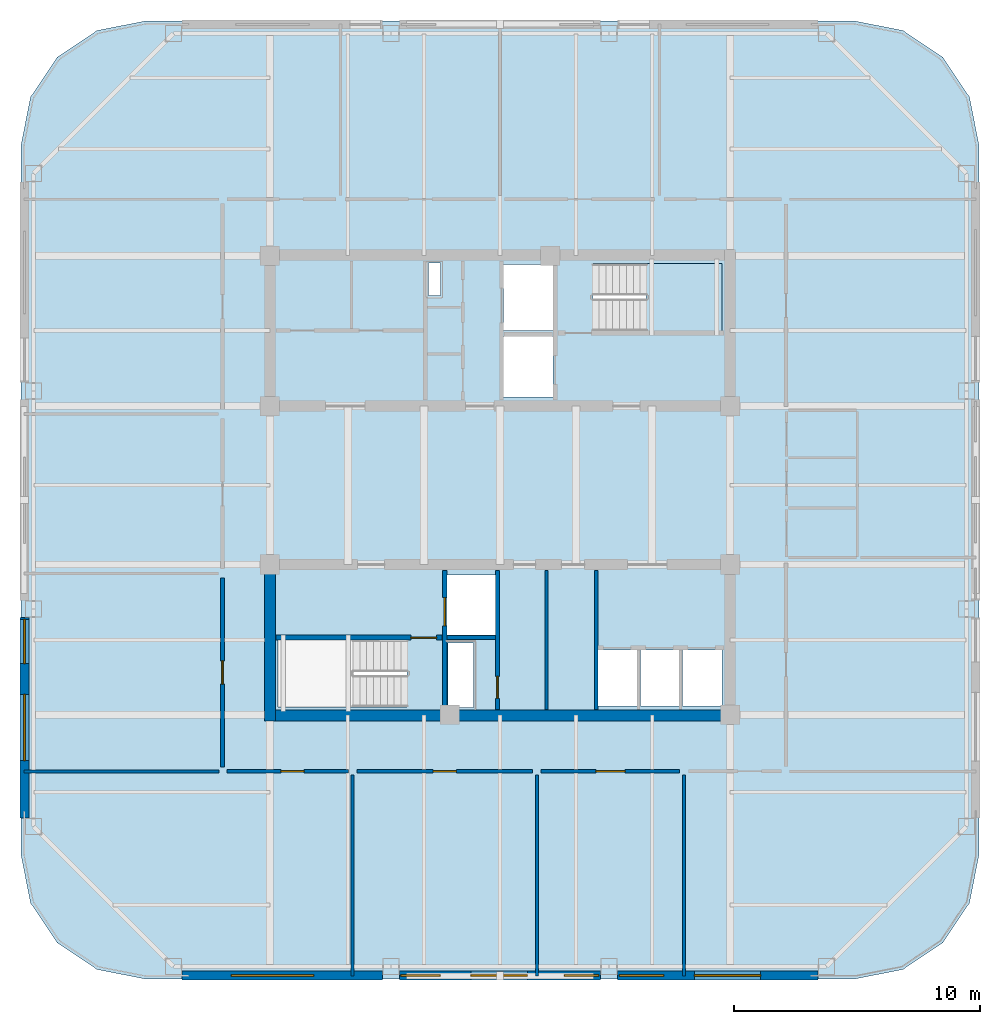
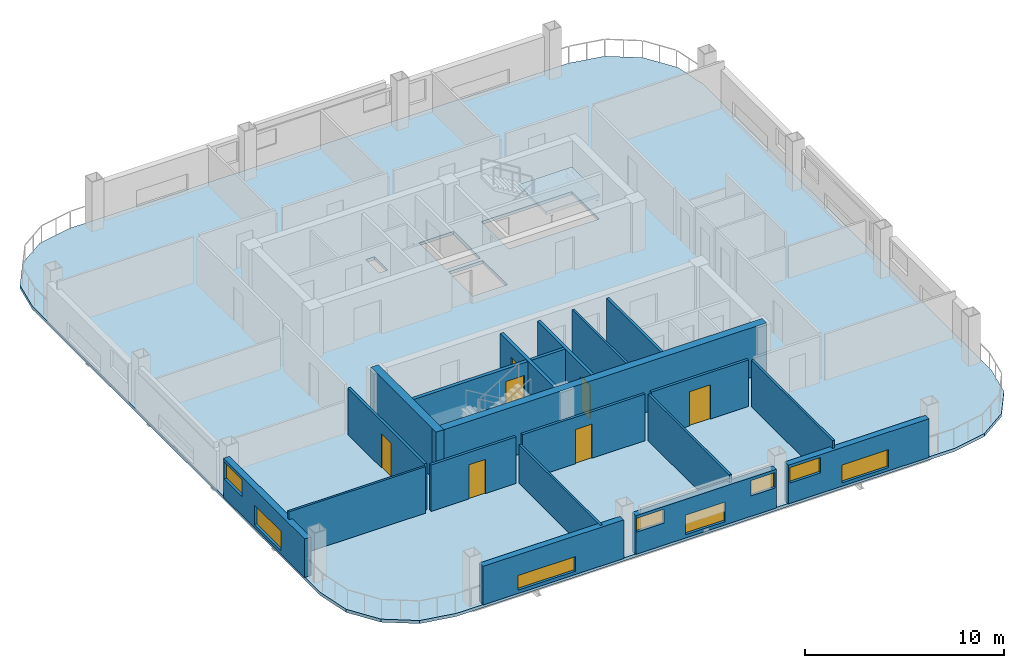
# One storey, part 2 of 8: 20 walls, 8 windows, 7 doors, 2 slabs, 15 openings, 1 element without a shape of its own.
"""IFC4 building model written with IfcOpenShell, lengths in metres."""

from ifc_helpers import new_model, si_unit, direction, frame, frame_2d, origin, place, context, subcontext, project, spatial, polyline, rectangle, outline, extrude, material, layer, layer_set, type_object, element, fill, aggregate, save


model = new_model("IFC4")

# Units and contexts
model_context = context("Model", 3, precision=1e-05, world=origin(), true_north=direction((0.0, 1.0)))
body_context = subcontext(model_context, "Body", "Model", "MODEL_VIEW")
ifc_project = project(units=[si_unit("LENGTHUNIT", "METRE"), si_unit("AREAUNIT", "SQUARE_METRE"), si_unit("VOLUMEUNIT", "CUBIC_METRE"), si_unit("PLANEANGLEUNIT", "RADIAN"), si_unit("MASSUNIT", "GRAM", prefix="KILO")], contexts=[model_context])

# Site, building, storey
site_placement = place(None, origin())
site = spatial("IfcSite", under=ifc_project, at=site_placement, CompositionType="ELEMENT")
building_placement = place(site_placement, origin())
building = spatial("IfcBuilding", under=site, at=building_placement, Name="Qhalaya Broadcast Tower", CompositionType="ELEMENT")
storey_placement = place(building_placement, frame((0.0, 0.0, 220.85009765625)))
storey = spatial("IfcBuildingStorey", under=building, at=storey_placement, Name="L65", CompositionType="ELEMENT", Elevation=220.85009765625)

# Stair, slab
ifc_material_1 = material(Name="Concrete C40/50", Category="concrete")
stair_type = type_object("IfcStairType", Name="Protected Dogleg Core Stair 3150", PredefinedType="TWO_STRAIGHT_RUN_STAIR", material=ifc_material_1)
stair_placement = place(storey_placement, origin())
stair = element("IfcStair", 1, at=stair_placement, inside=storey, type_object=stair_type, Name="L65 North Core Exit Stair ST-1", PredefinedType="TWO_STRAIGHT_RUN_STAIR")
ifc_layer_1 = layer(ifc_material_1, 0.199951171875, Name="Concrete C40/50")
ifc_layer_set_1 = layer_set([ifc_layer_1], Name="Concrete C40/50")
slab_type_1 = type_object("IfcSlabType", Name="Stair & Ramp Half-Landing Slab 200", PredefinedType="LANDING", material=ifc_layer_set_1)
slab_1_placement = place(storey_placement, frame((0.0, 0.0, 1.324951171875)))
slab_1 = element("IfcSlab", 2, at=slab_1_placement, type_object=slab_type_1, Name="ST-1 landing 1", PredefinedType="LANDING", context=body_context, shape_type="SweptSolid", body=[
    extrude(outline(polyline([(5.955078125, 6.8798828125), (9.050048828125, 6.8798828125), (9.050048828125, 9.639892578125), (5.955078125, 9.639892578125), (5.955078125, 6.8798828125)])), origin(), (0.0, 0.0, 1.0), 0.199951171875),
])
aggregate(stair, [slab_1])

# Slab
ifc_layer_2 = layer(ifc_material_1, 0.18994140625, Name="Concrete C40/50")
ifc_layer_set_2 = layer_set([ifc_layer_2], Name="Concrete C40/50")
slab_type_2 = type_object("IfcSlabType", Name="Upper Tower Composite Floor Slab 190", PredefinedType="FLOOR", material=ifc_layer_set_2)
slab_2_placement = place(storey_placement, frame((0.0, 0.0, -0.190185546875)))
element("IfcSlab", 3, at=slab_2_placement, inside=storey, type_object=slab_type_2, Name="L65 Main Structural Floor Slab", PredefinedType="FLOOR", context=body_context, shape_type="SweptSolid", body=[
    extrude(outline(polyline([(14.5, -19.5), (16.413330078125, -19.119384765625), (18.035400390625, -18.035400390625), (19.119384765625, -16.413330078125), (19.5, -14.5), (19.5, 14.5), (19.119384765625, 16.413330078125), (18.035400390625, 18.035400390625), (16.413330078125, 19.119384765625), (14.5, 19.5), (-14.5, 19.5), (-16.413330078125, 19.119384765625), (-18.035400390625, 18.035400390625), (-19.119384765625, 16.413330078125), (-19.5, 14.5), (-19.5, -14.5), (-19.119384765625, -16.413330078125), (-18.035400390625, -18.035400390625), (-16.413330078125, -19.119384765625), (-14.5, -19.5), (14.5, -19.5)]), holes=[polyline([(3.784912109375, 9.639892578125), (9.050048828125, 9.639892578125), (9.050048828125, 6.8798828125), (3.784912109375, 6.8798828125), (3.784912109375, 9.639892578125)]), polyline([(-3.784912109375, -8.43994140625), (-9.050048828125, -8.43994140625), (-9.050048828125, -5.679931640625), (-3.784912109375, -5.679931640625), (-3.784912109375, -8.43994140625)]), polyline([(0.14990234375, 6.64990234375), (2.14990234375, 6.64990234375), (2.14990234375, 4.199951171875), (0.14990234375, 4.199951171875), (0.14990234375, 6.64990234375)]), polyline([(0.14990234375, 9.60009765625), (2.14990234375, 9.60009765625), (2.14990234375, 6.89990234375), (0.14990234375, 6.89990234375), (0.14990234375, 9.60009765625)]), polyline([(-2.14990234375, -3.050048828125), (-0.14990234375, -3.050048828125), (-0.14990234375, -5.5), (-2.14990234375, -5.5), (-2.14990234375, -3.050048828125)]), polyline([(4.0, -6.10009765625), (5.60009765625, -6.10009765625), (5.60009765625, -8.39990234375), (4.0, -8.39990234375), (4.0, -6.10009765625)]), polyline([(5.719970703125, -6.10009765625), (7.320068359375, -6.10009765625), (7.320068359375, -8.39990234375), (5.719970703125, -8.39990234375), (5.719970703125, -6.10009765625)]), polyline([(7.43994140625, -6.10009765625), (9.0400390625, -6.10009765625), (9.0400390625, -8.39990234375), (7.43994140625, -8.39990234375), (7.43994140625, -6.10009765625)]), polyline([(-2.919921875, 9.659912109375), (-2.419921875, 9.659912109375), (-2.419921875, 8.320068359375), (-2.919921875, 8.320068359375), (-2.919921875, 9.659912109375)]), polyline([(-2.1201171875, -5.820068359375), (-1.080078125, -5.820068359375), (-1.080078125, -8.4599609375), (-2.1201171875, -8.4599609375), (-2.1201171875, -5.820068359375)])]), origin(), (0.0, 0.0, 1.0), 0.190185546875),
])

# Wall
ifc_material_2 = material(Name="Gypsum Acoustic Partition")
ifc_layer_3 = layer(ifc_material_2, 0.14990234375, Name="Gypsum Acoustic Partition")
ifc_layer_set_3 = layer_set([ifc_layer_3], Name="Gypsum Acoustic Partition")
wall_type_1 = type_object("IfcWallType", Name="Corridor & Tenancy Acoustic Partition 150", PredefinedType="PARTITIONING", material=ifc_layer_set_3)
wall_1_placement = place(storey_placement, frame((3.919921875, -8.530029296875, 0.0), z_axis=(0.0, 0.0, 1.0), x_axis=(0.0, 1.0, 0.0)))
element("IfcWall", 4, at=wall_1_placement, inside=storey, type_object=wall_type_1, Name="L65 Partition Wall SCW-HSEP", PredefinedType="PARTITIONING", context=body_context, shape_type="SweptSolid", body=[
    extrude(rectangle(XDim=5.659912109375, YDim=0.14990234375, at=frame_2d((2.830078125, 0.0))), origin(), (0.0, 0.0, 1.0), 2.85986328125),
])

# Wall, opening, door
wall_2_placement = place(storey_placement, frame((-11.1201171875, -11.050048828125, 0.0), z_axis=(0.0, 0.0, 1.0), x_axis=(1.0, 0.0, 0.0)))
wall_2 = element("IfcWall", 5, at=wall_2_placement, inside=storey, type_object=wall_type_1, Name="L65 Partition Wall W-COR-05", PredefinedType="PARTITIONING", context=body_context, shape_type="SweptSolid", body=[
    extrude(rectangle(XDim=4.940185546875, YDim=0.14990234375, at=frame_2d((2.47021484375, 0.0))), origin(), (0.0, 0.0, 1.0), 2.85986328125),
])
opening_1_placement = place(wall_2_placement, frame((2.195068359375, 0.0, 0.0)))
opening_1 = element("IfcOpeningElement", 6, at=opening_1_placement, cuts=wall_2, Name="Opening D10", PredefinedType="OPENING", context=body_context, shape_type="SweptSolid", body=[
    extrude(rectangle(XDim=0.949951171875, YDim=2.10009765625, at=frame_2d((0.47509765625, 1.050048828125))), frame((0.0, 0.0869140625, 0.0), z_axis=(0.0, -1.0, 0.0), x_axis=(1.0, 0.0, 0.0)), (0.0, 0.0, 1.0), 0.173828125),
])
ifc_material_3 = material(Name="Timber Veneer Acoustic Door", Category="wood")
door_type_1 = type_object("IfcDoorType", Name="Cellular Office & Edit Booth Door D10", OperationType="NOTDEFINED", PredefinedType="DOOR", material=ifc_material_3)
door_1_placement = place(opening_1_placement, origin())
door_1 = element("IfcDoor", 7, at=door_1_placement, inside=storey, type_object=door_type_1, Name="L65 Door D-RM05", OperationType="SINGLE_SWING_LEFT", OverallHeight=2.10009765625, OverallWidth=0.949951171875, PredefinedType="DOOR", context=body_context, shape_type="SweptSolid", body=[
    extrude(rectangle(XDim=0.949951171875, YDim=2.10009765625, at=frame_2d((0.47509765625, 1.050048828125))), frame((0.0, 0.02490234375, 0.0), z_axis=(0.0, -1.0, 0.0), x_axis=(1.0, 0.0, 0.0)), (0.0, 0.0, 1.0), 0.050048828125),
])
fill(opening_1, door_1)

wall_3_placement = place(storey_placement, frame((-5.820068359375, -11.050048828125, 0.0), z_axis=(0.0, 0.0, 1.0), x_axis=(1.0, 0.0, 0.0)))
wall_3 = element("IfcWall", 8, at=wall_3_placement, inside=storey, type_object=wall_type_1, Name="L65 Partition Wall W-COR-06", PredefinedType="PARTITIONING", context=body_context, shape_type="SweptSolid", body=[
    extrude(rectangle(XDim=7.14013671875, YDim=0.14990234375, at=frame_2d((3.570068359375, 0.0))), origin(), (0.0, 0.0, 1.0), 2.85986328125),
])
opening_2_placement = place(wall_3_placement, frame((3.094970703125, 0.0, 0.0)))
opening_2 = element("IfcOpeningElement", 9, at=opening_2_placement, cuts=wall_3, Name="Opening D10", PredefinedType="OPENING", context=body_context, shape_type="SweptSolid", body=[
    extrude(rectangle(XDim=0.949951171875, YDim=2.10009765625, at=frame_2d((0.47509765625, 1.050048828125))), frame((0.0, 0.0869140625, 0.0), z_axis=(0.0, -1.0, 0.0), x_axis=(1.0, 0.0, 0.0)), (0.0, 0.0, 1.0), 0.173828125),
])
door_2_placement = place(opening_2_placement, origin())
door_2 = element("IfcDoor", 10, at=door_2_placement, inside=storey, type_object=door_type_1, Name="L65 Door D-RM06", OperationType="SINGLE_SWING_RIGHT", OverallHeight=2.10009765625, OverallWidth=0.949951171875, PredefinedType="DOOR", context=body_context, shape_type="SweptSolid", body=[
    extrude(rectangle(XDim=0.949951171875, YDim=2.10009765625, at=frame_2d((0.47509765625, 1.050048828125))), frame((0.0, 0.02490234375, 0.0), z_axis=(0.0, -1.0, 0.0), x_axis=(1.0, 0.0, 0.0)), (0.0, 0.0, 1.0), 0.050048828125),
])
fill(opening_2, door_2)

wall_4_placement = place(storey_placement, frame((1.679931640625, -11.050048828125, 0.0), z_axis=(0.0, 0.0, 1.0), x_axis=(1.0, 0.0, 0.0)))
wall_4 = element("IfcWall", 11, at=wall_4_placement, inside=storey, type_object=wall_type_1, Name="L65 Partition Wall W-COR-07", PredefinedType="PARTITIONING", context=body_context, shape_type="SweptSolid", body=[
    extrude(rectangle(XDim=5.64013671875, YDim=0.14990234375, at=frame_2d((2.820068359375, 0.0))), origin(), (0.0, 0.0, 1.0), 2.85986328125),
])
opening_3_placement = place(wall_4_placement, frame((2.219970703125, 0.0, 0.0)))
opening_3 = element("IfcOpeningElement", 12, at=opening_3_placement, cuts=wall_4, Name="Opening D11", PredefinedType="OPENING", context=body_context, shape_type="SweptSolid", body=[
    extrude(rectangle(XDim=1.199951171875, YDim=2.10009765625, at=frame_2d((0.60009765625, 1.050048828125))), frame((0.0, 0.0869140625, 0.0), z_axis=(0.0, -1.0, 0.0), x_axis=(1.0, 0.0, 0.0)), (0.0, 0.0, 1.0), 0.173828125),
])
ifc_material_4 = material(Name="Anodised Aluminium Glazed Door", Category="aluminium")
door_type_2 = type_object("IfcDoorType", Name="Conference, Boardroom & Studio Control Door D11", OperationType="NOTDEFINED", PredefinedType="DOOR", material=ifc_material_4)
door_3_placement = place(opening_3_placement, origin())
door_3 = element("IfcDoor", 13, at=door_3_placement, inside=storey, type_object=door_type_2, Name="L65 Door D-RM07", OperationType="SINGLE_SWING_LEFT", OverallHeight=2.10009765625, OverallWidth=1.199951171875, PredefinedType="DOOR", context=body_context, shape_type="SweptSolid", body=[
    extrude(rectangle(XDim=1.199951171875, YDim=2.10009765625, at=frame_2d((0.60009765625, 1.050048828125))), frame((0.0, 0.02490234375, 0.0), z_axis=(0.0, -1.0, 0.0), x_axis=(1.0, 0.0, 0.0)), (0.0, 0.0, 1.0), 0.050048828125),
])
fill(opening_3, door_3)

wall_5_placement = place(storey_placement, frame((-11.300048828125, -10.8701171875, 0.0), z_axis=(0.0, 0.0, 1.0), x_axis=(0.0, 1.0, 0.0)))
wall_5 = element("IfcWall", 14, at=wall_5_placement, inside=storey, type_object=wall_type_1, Name="L65 Partition Wall W-COR-09", PredefinedType="PARTITIONING", context=body_context, shape_type="SweptSolid", body=[
    extrude(rectangle(XDim=7.690185546875, YDim=0.14990234375, at=frame_2d((3.84521484375, 0.0))), origin(), (0.0, 0.0, 1.0), 2.85986328125),
])
opening_4_placement = place(wall_5_placement, frame((3.3701171875, 0.0, 0.0)))
opening_4 = element("IfcOpeningElement", 15, at=opening_4_placement, cuts=wall_5, Name="Opening D10", PredefinedType="OPENING", context=body_context, shape_type="SweptSolid", body=[
    extrude(rectangle(XDim=0.949951171875, YDim=2.10009765625, at=frame_2d((0.47509765625, 1.050048828125))), frame((0.0, 0.0869140625, 0.0), z_axis=(0.0, -1.0, 0.0), x_axis=(1.0, 0.0, 0.0)), (0.0, 0.0, 1.0), 0.173828125),
])
door_4_placement = place(opening_4_placement, origin())
door_4 = element("IfcDoor", 16, at=door_4_placement, inside=storey, type_object=door_type_1, Name="L65 Door D-RM09", OperationType="SINGLE_SWING_LEFT", OverallHeight=2.10009765625, OverallWidth=0.949951171875, PredefinedType="DOOR", context=body_context, shape_type="SweptSolid", body=[
    extrude(rectangle(XDim=0.949951171875, YDim=2.10009765625, at=frame_2d((0.47509765625, 1.050048828125))), frame((0.0, 0.02490234375, 0.0), z_axis=(0.0, -1.0, 0.0), x_axis=(1.0, 0.0, 0.0)), (0.0, 0.0, 1.0), 0.050048828125),
])
fill(opening_4, door_4)

# Wall, openings, windows
ifc_material_5 = material(Name="Precast Concrete C40/50", Category="concrete")
ifc_layer_4 = layer(ifc_material_5, 0.360107421875, Name="Precast Concrete C40/50")
ifc_layer_set_4 = layer_set([ifc_layer_4], Name="Precast Concrete C40/50")
wall_type_2 = type_object("IfcWallType", Name="Insulated Precast Terracotta Exterior Wall 360", PredefinedType="SOLIDWALL", material=ifc_layer_set_4)
wall_6_placement = place(storey_placement, frame((12.9619140625, -19.360107421875, 0.0), z_axis=(0.0, 0.0, 1.0), x_axis=(-1.0, 0.0, 0.0)))
wall_6 = element("IfcWall", 17, at=wall_6_placement, inside=storey, type_object=wall_type_2, Name="L65 Exoskeleton Diagrid Infill Wall S1", PredefinedType="SOLIDWALL", context=body_context, shape_type="SweptSolid", body=[
    extrude(rectangle(XDim=8.1787109375, YDim=0.360107421875, at=frame_2d((4.08935546875, 0.0))), origin(), (0.0, 0.0, 1.0), 2.3740234375),
])
opening_5_placement = place(wall_6_placement, frame((2.35009765625, 0.0, 0.199951171875)))
opening_5 = element("IfcOpeningElement", 18, at=opening_5_placement, cuts=wall_6, Name="Opening W13", PredefinedType="OPENING", context=body_context, shape_type="SweptSolid", body=[
    extrude(rectangle(XDim=2.699951171875, YDim=1.10009765625, at=frame_2d((1.35009765625, 0.550048828125))), frame((0.0, 0.192138671875, 0.0), z_axis=(0.0, -1.0, 0.0), x_axis=(1.0, 0.0, 0.0)), (0.0, 0.0, 1.0), 0.384033203125),
])
opening_6_placement = place(wall_6_placement, frame((6.300048828125, 0.0, 1.25)))
opening_6 = element("IfcOpeningElement", 19, at=opening_6_placement, cuts=wall_6, Name="Opening W13", PredefinedType="OPENING", context=body_context, shape_type="SweptSolid", body=[
    extrude(rectangle(XDim=1.800048828125, YDim=0.949951171875, at=frame_2d((0.89990234375, 0.47509765625))), frame((0.0, 0.192138671875, 0.0), z_axis=(0.0, -1.0, 0.0), x_axis=(1.0, 0.0, 0.0)), (0.0, 0.0, 1.0), 0.384033203125),
])
ifc_material_6 = material(Name="Solar-Control Low-E Triple Glazing", Category="glass")
window_type = type_object("IfcWindowType", Name="Upper-Block Diagrid Infill Window W13", PartitioningType="SINGLE_PANEL", PredefinedType="WINDOW", material=ifc_material_6)
window_1_placement = place(opening_5_placement, origin())
window_1 = element("IfcWindow", 20, at=window_1_placement, inside=storey, type_object=window_type, Name="L65 Diagrid Infill Window W13-S1", OverallHeight=1.10009765625, OverallWidth=2.699951171875, PartitioningType="SINGLE_PANEL", PredefinedType="WINDOW", context=body_context, shape_type="SweptSolid", body=[
    extrude(rectangle(XDim=2.699951171875, YDim=1.10009765625, at=frame_2d((1.35009765625, 0.550048828125))), frame((0.0, 0.030029296875, 0.0), z_axis=(0.0, -1.0, 0.0), x_axis=(1.0, 0.0, 0.0)), (0.0, 0.0, 1.0), 0.06005859375),
])
fill(opening_5, window_1)
window_2_placement = place(opening_6_placement, origin())
window_2 = element("IfcWindow", 21, at=window_2_placement, inside=storey, type_object=window_type, Name="L65 Diagrid Infill Window W13-S2", OverallHeight=0.949951171875, OverallWidth=1.800048828125, PartitioningType="SINGLE_PANEL", PredefinedType="WINDOW", context=body_context, shape_type="SweptSolid", body=[
    extrude(rectangle(XDim=1.800048828125, YDim=0.949951171875, at=frame_2d((0.89990234375, 0.47509765625))), frame((0.0, 0.030029296875, 0.0), z_axis=(0.0, -1.0, 0.0), x_axis=(1.0, 0.0, 0.0)), (0.0, 0.0, 1.0), 0.06005859375),
])
fill(opening_6, window_2)

wall_7_placement = place(storey_placement, frame((4.083251953125, -19.360107421875, 0.0), z_axis=(0.0, 0.0, 1.0), x_axis=(-1.0, 0.0, 0.0)))
wall_7 = element("IfcWall", 22, at=wall_7_placement, inside=storey, type_object=wall_type_2, Name="L65 Exoskeleton Diagrid Infill Wall S2", PredefinedType="SOLIDWALL", context=body_context, shape_type="SweptSolid", body=[
    extrude(rectangle(XDim=8.16650390625, YDim=0.360107421875, at=frame_2d((4.083251953125, 0.0))), origin(), (0.0, 0.0, 1.0), 2.3740234375),
])
opening_7_placement = place(wall_7_placement, frame((0.071044921875, 0.0, 1.25)))
opening_7 = element("IfcOpeningElement", 23, at=opening_7_placement, cuts=wall_7, Name="Opening W13", PredefinedType="OPENING", context=body_context, shape_type="SweptSolid", body=[
    extrude(rectangle(XDim=1.39990234375, YDim=0.949951171875, at=frame_2d((0.699951171875, 0.47509765625))), frame((0.0, 0.192138671875, 0.0), z_axis=(0.0, -1.0, 0.0), x_axis=(1.0, 0.0, 0.0)), (0.0, 0.0, 1.0), 0.384033203125),
])
opening_8_placement = place(wall_7_placement, frame((2.970947265625, 0.0, 0.199951171875)))
opening_8 = element("IfcOpeningElement", 24, at=opening_8_placement, cuts=wall_7, Name="Opening W13", PredefinedType="OPENING", context=body_context, shape_type="SweptSolid", body=[
    extrude(rectangle(XDim=2.300048828125, YDim=1.199951171875, at=frame_2d((1.14990234375, 0.60009765625))), frame((0.0, 0.192138671875, 0.0), z_axis=(0.0, -1.0, 0.0), x_axis=(1.0, 0.0, 0.0)), (0.0, 0.0, 1.0), 0.384033203125),
])
opening_9_placement = place(wall_7_placement, frame((6.52099609375, 0.0, 1.35009765625)))
opening_9 = element("IfcOpeningElement", 25, at=opening_9_placement, cuts=wall_7, Name="Opening W13", PredefinedType="OPENING", context=body_context, shape_type="SweptSolid", body=[
    extrude(rectangle(XDim=1.60009765625, YDim=0.85009765625, at=frame_2d((0.800048828125, 0.425048828125))), frame((0.0, 0.192138671875, 0.0), z_axis=(0.0, -1.0, 0.0), x_axis=(1.0, 0.0, 0.0)), (0.0, 0.0, 1.0), 0.384033203125),
])
window_3_placement = place(opening_7_placement, origin())
window_3 = element("IfcWindow", 26, at=window_3_placement, inside=storey, type_object=window_type, Name="L65 Diagrid Infill Window W13-S3", OverallHeight=0.949951171875, OverallWidth=1.39990234375, PartitioningType="SINGLE_PANEL", PredefinedType="WINDOW", context=body_context, shape_type="SweptSolid", body=[
    extrude(rectangle(XDim=1.39990234375, YDim=0.949951171875, at=frame_2d((0.699951171875, 0.47509765625))), frame((0.0, 0.030029296875, 0.0), z_axis=(0.0, -1.0, 0.0), x_axis=(1.0, 0.0, 0.0)), (0.0, 0.0, 1.0), 0.06005859375),
])
fill(opening_7, window_3)
window_4_placement = place(opening_8_placement, origin())
window_4 = element("IfcWindow", 27, at=window_4_placement, inside=storey, type_object=window_type, Name="L65 Diagrid Infill Window W13-S4", OverallHeight=1.199951171875, OverallWidth=2.300048828125, PartitioningType="SINGLE_PANEL", PredefinedType="WINDOW", context=body_context, shape_type="SweptSolid", body=[
    extrude(rectangle(XDim=2.300048828125, YDim=1.199951171875, at=frame_2d((1.14990234375, 0.60009765625))), frame((0.0, 0.030029296875, 0.0), z_axis=(0.0, -1.0, 0.0), x_axis=(1.0, 0.0, 0.0)), (0.0, 0.0, 1.0), 0.06005859375),
])
fill(opening_8, window_4)
window_5_placement = place(opening_9_placement, origin())
window_5 = element("IfcWindow", 28, at=window_5_placement, inside=storey, type_object=window_type, Name="L65 Diagrid Infill Window W13-S5", OverallHeight=0.85009765625, OverallWidth=1.60009765625, PartitioningType="SINGLE_PANEL", PredefinedType="WINDOW", context=body_context, shape_type="SweptSolid", body=[
    extrude(rectangle(XDim=1.60009765625, YDim=0.85009765625, at=frame_2d((0.800048828125, 0.425048828125))), frame((0.0, 0.030029296875, 0.0), z_axis=(0.0, -1.0, 0.0), x_axis=(1.0, 0.0, 0.0)), (0.0, 0.0, 1.0), 0.06005859375),
])
fill(opening_9, window_5)

# Wall, opening, window
wall_8_placement = place(storey_placement, frame((-4.783203125, -19.360107421875, 0.0), z_axis=(0.0, 0.0, 1.0), x_axis=(-1.0, 0.0, 0.0)))
wall_8 = element("IfcWall", 29, at=wall_8_placement, inside=storey, type_object=wall_type_2, Name="L65 Exoskeleton Diagrid Infill Wall S3", PredefinedType="SOLIDWALL", context=body_context, shape_type="SweptSolid", body=[
    extrude(rectangle(XDim=8.1787109375, YDim=0.360107421875, at=frame_2d((4.08935546875, 0.0))), origin(), (0.0, 0.0, 1.0), 2.3740234375),
])
opening_10_placement = place(wall_8_placement, frame((2.804931640625, 0.0, 0.199951171875)))
opening_10 = element("IfcOpeningElement", 30, at=opening_10_placement, cuts=wall_8, Name="Opening W13", PredefinedType="OPENING", context=body_context, shape_type="SweptSolid", body=[
    extrude(rectangle(XDim=3.35009765625, YDim=0.89990234375, at=frame_2d((1.675048828125, 0.449951171875))), frame((0.0, 0.192138671875, 0.0), z_axis=(0.0, -1.0, 0.0), x_axis=(1.0, 0.0, 0.0)), (0.0, 0.0, 1.0), 0.384033203125),
])
window_6_placement = place(opening_10_placement, origin())
window_6 = element("IfcWindow", 31, at=window_6_placement, inside=storey, type_object=window_type, Name="L65 Diagrid Infill Window W13-S6", OverallHeight=0.89990234375, OverallWidth=3.35009765625, PartitioningType="SINGLE_PANEL", PredefinedType="WINDOW", context=body_context, shape_type="SweptSolid", body=[
    extrude(rectangle(XDim=3.35009765625, YDim=0.89990234375, at=frame_2d((1.675048828125, 0.449951171875))), frame((0.0, 0.030029296875, 0.0), z_axis=(0.0, -1.0, 0.0), x_axis=(1.0, 0.0, 0.0)), (0.0, 0.0, 1.0), 0.06005859375),
])
fill(opening_10, window_6)

# Wall, openings, windows
wall_9_placement = place(storey_placement, frame((-19.360107421875, -12.9619140625, 0.0), z_axis=(0.0, 0.0, 1.0), x_axis=(0.0, 1.0, 0.0)))
wall_9 = element("IfcWall", 32, at=wall_9_placement, inside=storey, type_object=wall_type_2, Name="L65 Exoskeleton Diagrid Infill Wall W1", PredefinedType="SOLIDWALL", context=body_context, shape_type="SweptSolid", body=[
    extrude(rectangle(XDim=8.1787109375, YDim=0.360107421875, at=frame_2d((4.08935546875, 0.0))), origin(), (0.0, 0.0, 1.0), 2.3740234375),
])
opening_11_placement = place(wall_9_placement, frame((2.35009765625, 0.0, 0.199951171875)))
opening_11 = element("IfcOpeningElement", 33, at=opening_11_placement, cuts=wall_9, Name="Opening W13", PredefinedType="OPENING", context=body_context, shape_type="SweptSolid", body=[
    extrude(rectangle(XDim=2.699951171875, YDim=1.199951171875, at=frame_2d((1.35009765625, 0.60009765625))), frame((0.0, 0.192138671875, 0.0), z_axis=(0.0, -1.0, 0.0), x_axis=(1.0, 0.0, 0.0)), (0.0, 0.0, 1.0), 0.384033203125),
])
opening_12_placement = place(wall_9_placement, frame((6.300048828125, 0.0, 1.14990234375)))
opening_12 = element("IfcOpeningElement", 34, at=opening_12_placement, cuts=wall_9, Name="Opening W13", PredefinedType="OPENING", context=body_context, shape_type="SweptSolid", body=[
    extrude(rectangle(XDim=1.800048828125, YDim=1.050048828125, at=frame_2d((0.89990234375, 0.52490234375))), frame((0.0, 0.192138671875, 0.0), z_axis=(0.0, -1.0, 0.0), x_axis=(1.0, 0.0, 0.0)), (0.0, 0.0, 1.0), 0.384033203125),
])
window_7_placement = place(opening_11_placement, origin())
window_7 = element("IfcWindow", 35, at=window_7_placement, inside=storey, type_object=window_type, Name="L65 Diagrid Infill Window W13-W1", OverallHeight=1.199951171875, OverallWidth=2.699951171875, PartitioningType="SINGLE_PANEL", PredefinedType="WINDOW", context=body_context, shape_type="SweptSolid", body=[
    extrude(rectangle(XDim=2.699951171875, YDim=1.199951171875, at=frame_2d((1.35009765625, 0.60009765625))), frame((0.0, 0.030029296875, 0.0), z_axis=(0.0, -1.0, 0.0), x_axis=(1.0, 0.0, 0.0)), (0.0, 0.0, 1.0), 0.06005859375),
])
fill(opening_11, window_7)
window_8_placement = place(opening_12_placement, origin())
window_8 = element("IfcWindow", 36, at=window_8_placement, inside=storey, type_object=window_type, Name="L65 Diagrid Infill Window W13-W2", OverallHeight=1.050048828125, OverallWidth=1.800048828125, PartitioningType="SINGLE_PANEL", PredefinedType="WINDOW", context=body_context, shape_type="SweptSolid", body=[
    extrude(rectangle(XDim=1.800048828125, YDim=1.050048828125, at=frame_2d((0.89990234375, 0.52490234375))), frame((0.0, 0.030029296875, 0.0), z_axis=(0.0, -1.0, 0.0), x_axis=(1.0, 0.0, 0.0)), (0.0, 0.0, 1.0), 0.06005859375),
])
fill(opening_12, window_8)

# Wall, opening, door
ifc_material_7 = material(Name="Concrete C50/60", Category="concrete")
ifc_layer_5 = layer(ifc_material_7, 0.199951171875, Name="Concrete C50/60")
ifc_layer_set_5 = layer_set([ifc_layer_5], Name="Concrete C50/60")
wall_type_3 = type_object("IfcWallType", Name="Load-Bearing Stair Shaft Wall 200", PredefinedType="SHEAR", material=ifc_layer_set_5)
wall_10_placement = place(storey_placement, frame((-9.1298828125, -5.60498046875, 0.0), z_axis=(0.0, 0.0, 1.0), x_axis=(1.0, 0.0, 0.0)))
wall_10 = element("IfcWall", 37, at=wall_10_placement, inside=storey, type_object=wall_type_3, Name="L65 Stair Core Shear Wall SCW-ST2", PredefinedType="SHEAR", context=body_context, shape_type="SweptSolid", body=[
    extrude(rectangle(XDim=6.769775390625, YDim=0.199951171875, at=frame_2d((3.384765625, 0.0))), origin(), (0.0, 0.0, 1.0), 2.85986328125),
])
opening_13_placement = place(wall_10_placement, frame((5.5, 0.0, 0.0)))
opening_13 = element("IfcOpeningElement", 38, at=opening_13_placement, cuts=wall_10, Name="Opening D03", PredefinedType="OPENING", context=body_context, shape_type="SweptSolid", body=[
    extrude(rectangle(XDim=1.050048828125, YDim=2.080078125, at=frame_2d((0.52490234375, 1.0400390625))), frame((0.0, 0.112060546875, 0.0), z_axis=(0.0, -1.0, 0.0), x_axis=(1.0, 0.0, 0.0)), (0.0, 0.0, 1.0), 0.223876953125),
])
ifc_material_8 = material(Name="Fire-Rated Steel Door", Category="steel")
door_type_3 = type_object("IfcDoorType", Name="Core Stair Protected Fire Door D03", OperationType="NOTDEFINED", PredefinedType="DOOR", material=ifc_material_8)
door_5_placement = place(opening_13_placement, origin())
door_5 = element("IfcDoor", 39, at=door_5_placement, inside=storey, type_object=door_type_3, Name="L65 Door D-SST2", OperationType="SINGLE_SWING_RIGHT", OverallHeight=2.080078125, OverallWidth=1.050048828125, PredefinedType="DOOR", context=body_context, shape_type="SweptSolid", body=[
    extrude(rectangle(XDim=1.050048828125, YDim=2.080078125, at=frame_2d((0.52490234375, 1.0400390625))), frame((0.0, 0.02490234375, 0.0), z_axis=(0.0, -1.0, 0.0), x_axis=(1.0, 0.0, 0.0)), (0.0, 0.0, 1.0), 0.050048828125),
])
fill(opening_13, door_5)

wall_11_placement = place(storey_placement, frame((-2.25, -8.530029296875, 0.0), z_axis=(0.0, 0.0, 1.0), x_axis=(0.0, 1.0, 0.0)))
wall_11 = element("IfcWall", 40, at=wall_11_placement, inside=storey, type_object=wall_type_3, Name="L65 Stair Core Shear Wall SCW-FF", PredefinedType="SHEAR", context=body_context, shape_type="SweptSolid", body=[
    extrude(rectangle(XDim=5.659912109375, YDim=0.199951171875, at=frame_2d((2.830078125, 0.0))), origin(), (0.0, 0.0, 1.0), 2.85986328125),
])
opening_14_placement = place(wall_11_placement, frame((3.39990234375, 0.0, 0.0)))
opening_14 = element("IfcOpeningElement", 41, at=opening_14_placement, cuts=wall_11, Name="Opening LD2", PredefinedType="OPENING", context=body_context, shape_type="SweptSolid", body=[
    extrude(rectangle(XDim=1.14990234375, YDim=2.080078125, at=frame_2d((0.574951171875, 1.0400390625))), frame((0.0, 0.112060546875, 0.0), z_axis=(0.0, -1.0, 0.0), x_axis=(1.0, 0.0, 0.0)), (0.0, 0.0, 1.0), 0.223876953125),
])
ifc_material_9 = material(Name="Brushed Stainless Steel Lift Door", Category="steel")
door_type_4 = type_object("IfcDoorType", Name="Firefighting Lift Sliding Landing Door LD2", OperationType="DOUBLE_DOOR_SLIDING", PredefinedType="DOOR", material=ifc_material_9)
door_6_placement = place(opening_14_placement, origin())
door_6 = element("IfcDoor", 42, at=door_6_placement, inside=storey, type_object=door_type_4, Name="L65 Door LD-FF2", OperationType="DOUBLE_DOOR_SLIDING", OverallHeight=2.080078125, OverallWidth=1.14990234375, PredefinedType="DOOR", context=body_context, shape_type="SweptSolid", body=[
    extrude(rectangle(XDim=1.14990234375, YDim=2.080078125, at=frame_2d((0.574951171875, 1.0400390625))), frame((0.0, 0.02490234375, 0.0), z_axis=(0.0, -1.0, 0.0), x_axis=(1.0, 0.0, 0.0)), (0.0, 0.0, 1.0), 0.050048828125),
])
fill(opening_14, door_6)

# Walls
ifc_layer_6 = layer(ifc_material_2, 0.1201171875, Name="Gypsum Acoustic Partition")
ifc_layer_set_6 = layer_set([ifc_layer_6], Name="Gypsum Acoustic Partition")
wall_type_4 = type_object("IfcWallType", Name="Office, Booth & Sanitary Partition 120", PredefinedType="PARTITIONING", material=ifc_layer_set_6)
wall_12_placement = place(storey_placement, frame((1.89990234375, -8.530029296875, 0.0), z_axis=(0.0, 0.0, 1.0), x_axis=(0.0, 1.0, 0.0)))
element("IfcWall", 43, at=wall_12_placement, inside=storey, type_object=wall_type_4, Name="L65 Partition Wall SCW-RKB", PredefinedType="PARTITIONING", context=body_context, shape_type="SweptSolid", body=[
    extrude(rectangle(XDim=5.659912109375, YDim=0.1201171875, at=frame_2d((2.830078125, 0.0))), origin(), (0.0, 0.0, 1.0), 2.85986328125),
])
wall_13_placement = place(storey_placement, frame((-19.3798828125, -11.050048828125, 0.0), z_axis=(0.0, 0.0, 1.0), x_axis=(1.0, 0.0, 0.0)))
element("IfcWall", 44, at=wall_13_placement, inside=storey, type_object=wall_type_4, Name="L65 Partition Wall W-BNDW2", PredefinedType="PARTITIONING", context=body_context, shape_type="SweptSolid", body=[
    extrude(rectangle(XDim=7.93994140625, YDim=0.1201171875, at=frame_2d((3.969970703125, 0.0))), origin(), (0.0, 0.0, 1.0), 2.85986328125),
])
wall_14_placement = place(storey_placement, frame((-6.0, -19.3798828125, 0.0), z_axis=(0.0, 0.0, 1.0), x_axis=(0.0, 1.0, 0.0)))
element("IfcWall", 45, at=wall_14_placement, inside=storey, type_object=wall_type_4, Name="L65 Partition Wall W-DIVS1", PredefinedType="PARTITIONING", context=body_context, shape_type="SweptSolid", body=[
    extrude(rectangle(XDim=8.169921875, YDim=0.1201171875, at=frame_2d((4.0849609375, 0.0))), origin(), (0.0, 0.0, 1.0), 2.380859375),
])
for number, where, z_axis, x_axis, name in (
    (46, (1.5, -19.3798828125, 0.0), (0.0, 0.0, 1.0), (0.0, 1.0, 0.0), "L65 Partition Wall W-DIVS2"),
    (47, (7.5, -19.3798828125, 0.0), (0.0, 0.0, 1.0), (0.0, 1.0, 0.0), "L65 Partition Wall W-DIVS3"),
):
    element("IfcWall", number, at=place(storey_placement, frame(where, z_axis=z_axis, x_axis=x_axis)), inside=storey, type_object=wall_type_4, Name=name, PredefinedType="PARTITIONING", context=body_context, shape_type="SweptSolid", body=[
        extrude(rectangle(XDim=8.169921875, YDim=0.1201171875, at=frame_2d((4.0849609375, 0.0))), origin(), (0.0, 0.0, 1.0), 2.85986328125),
    ])

# Wall, opening, door
ifc_layer_7 = layer(ifc_material_2, 0.175048828125, Name="Gypsum Acoustic Partition")
ifc_layer_set_7 = layer_set([ifc_layer_7], Name="Gypsum Acoustic Partition")
wall_type_5 = type_object("IfcWallType", Name="Shaft & Riser Fire Partition 175", PredefinedType="PARTITIONING", material=ifc_layer_set_7)
wall_15_placement = place(storey_placement, frame((-0.10009765625, -8.530029296875, 0.0), z_axis=(0.0, 0.0, 1.0), x_axis=(0.0, 1.0, 0.0)))
wall_15 = element("IfcWall", 48, at=wall_15_placement, inside=storey, type_object=wall_type_5, Name="L65 Partition Wall SCW-FFE", PredefinedType="PARTITIONING", context=body_context, shape_type="SweptSolid", body=[
    extrude(rectangle(XDim=5.659912109375, YDim=0.175048828125, at=frame_2d((2.830078125, 0.0))), origin(), (0.0, 0.0, 1.0), 2.85986328125),
])
opening_15_placement = place(wall_15_placement, frame((0.449951171875, 0.0, 0.0)))
opening_15 = element("IfcOpeningElement", 49, at=opening_15_placement, cuts=wall_15, Name="Opening D06", PredefinedType="OPENING", context=body_context, shape_type="SweptSolid", body=[
    extrude(rectangle(XDim=0.89990234375, YDim=2.050048828125, at=frame_2d((0.449951171875, 1.02490234375))), frame((0.0, 0.099609375, 0.0), z_axis=(0.0, -1.0, 0.0), x_axis=(1.0, 0.0, 0.0)), (0.0, 0.0, 1.0), 0.198974609375),
])
door_type_5 = type_object("IfcDoorType", Name="Riser & Electrical Shaft Access Door D06", OperationType="NOTDEFINED", PredefinedType="DOOR", material=ifc_material_8)
door_7_placement = place(opening_15_placement, origin())
door_7 = element("IfcDoor", 50, at=door_7_placement, inside=storey, type_object=door_type_5, Name="L65 Riser Shaft Access Door D-SRSR", OperationType="SINGLE_SWING_LEFT", OverallHeight=2.050048828125, OverallWidth=0.89990234375, PredefinedType="DOOR", context=body_context, shape_type="SweptSolid", body=[
    extrude(rectangle(XDim=0.89990234375, YDim=2.050048828125, at=frame_2d((0.449951171875, 1.02490234375))), frame((0.0, 0.02490234375, 0.0), z_axis=(0.0, -1.0, 0.0), x_axis=(1.0, 0.0, 0.0)), (0.0, 0.0, 1.0), 0.050048828125),
])
fill(opening_15, door_7)

# Walls
wall_16_placement = place(storey_placement, frame((-2.14990234375, -5.60009765625, 0.0), z_axis=(0.0, 0.0, 1.0), x_axis=(1.0, 0.0, 0.0)))
element("IfcWall", 51, at=wall_16_placement, inside=storey, type_object=wall_type_5, Name="L65 Partition Wall SCW-FFM", PredefinedType="PARTITIONING", context=body_context, shape_type="SweptSolid", body=[
    extrude(rectangle(XDim=1.969970703125, YDim=0.175048828125, at=frame_2d((0.98486328125, 0.0))), origin(), (0.0, 0.0, 1.0), 2.85986328125),
])
ifc_layer_8 = layer(ifc_material_7, 0.449951171875, Name="Concrete C50/60")
ifc_layer_set_8 = layer_set([ifc_layer_8], Name="Concrete C50/60")
wall_type_6 = type_object("IfcWallType", Name="Upper Split-Core Shear Wall 450", PredefinedType="SHEAR", material=ifc_layer_set_8)
wall_17_placement = place(storey_placement, frame((-9.60009765625, -8.77490234375, 0.0), z_axis=(0.0, 0.0, 1.0), x_axis=(1.0, 0.0, 0.0)))
element("IfcWall", 52, at=wall_17_placement, inside=storey, type_object=wall_type_6, Name="L65 Split-Core Shear Wall CW-SS", PredefinedType="SHEAR", context=body_context, shape_type="SweptSolid", body=[
    extrude(rectangle(XDim=19.2001953125, YDim=0.449951171875, at=frame_2d((9.60009765625, 0.0))), origin(), (0.0, 0.0, 1.0), 3.0498046875),
])
wall_18_placement = place(storey_placement, frame((-9.375, -9.0, 0.0), z_axis=(0.0, 0.0, 1.0), x_axis=(0.0, 1.0, 0.0)))
element("IfcWall", 53, at=wall_18_placement, inside=storey, type_object=wall_type_6, Name="L65 Split-Core Shear Wall CW-SW", PredefinedType="SHEAR", context=body_context, shape_type="SweptSolid", body=[
    extrude(rectangle(XDim=6.60009765625, YDim=0.449951171875, at=frame_2d((3.300048828125, 0.0))), origin(), (0.0, 0.0, 1.0), 3.0498046875),
])

save(model, "model.ifc")
